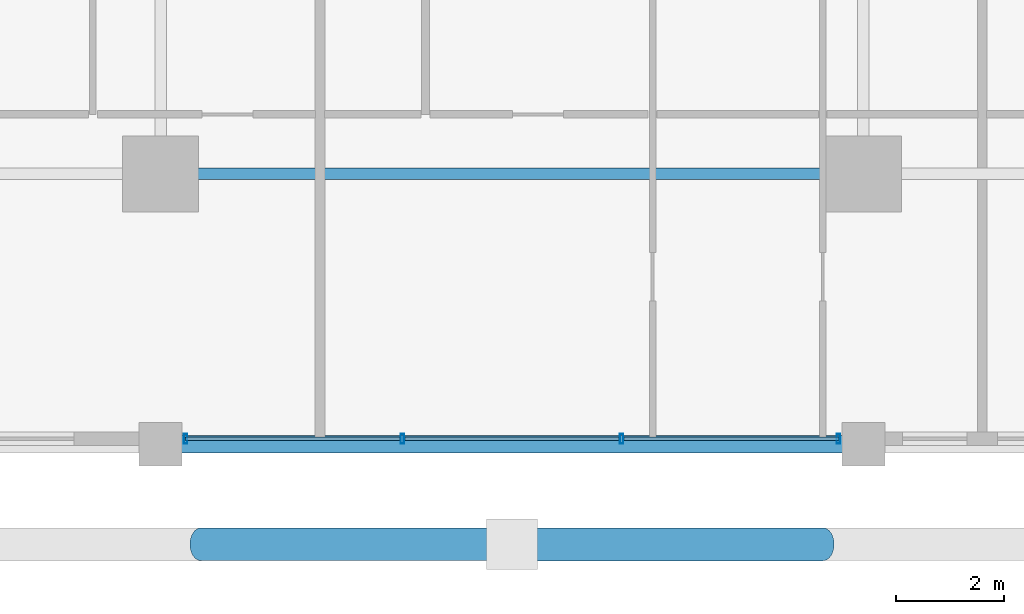
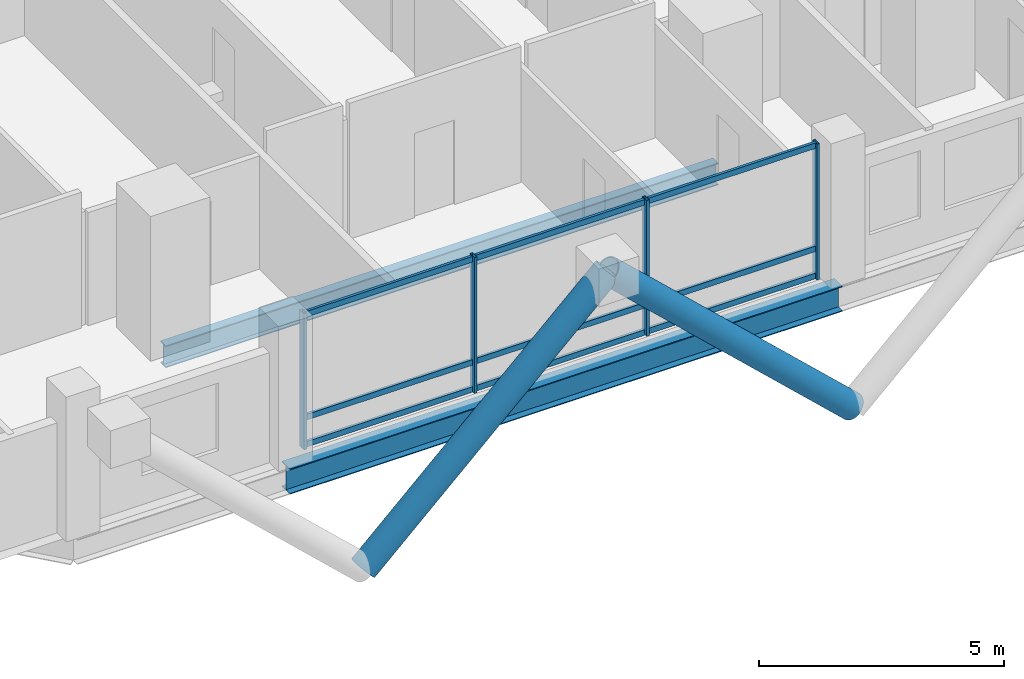
# One storey, part 2 of 24: 15 members, 2 beams, 1 element without a shape of its own.
"""IFC4 building model written with IfcOpenShell, lengths in metres."""

from ifc_helpers import new_model, si_unit, direction, frame, origin, origin_2d, place, context, subcontext, project, spatial, hollow_rectangle, hollow_circle, i_section, extrude, material, layer, layer_set, material_profile, profile_set, type_object, element, aggregate, save


model = new_model("IFC4")

# Units and contexts
model_context = context("Model", 3, precision=1e-05, world=origin(), true_north=direction((0.0, 1.0)))
body_context = subcontext(model_context, "Body", "Model", "MODEL_VIEW")
ifc_project = project(units=[si_unit("LENGTHUNIT", "METRE"), si_unit("AREAUNIT", "SQUARE_METRE"), si_unit("VOLUMEUNIT", "CUBIC_METRE"), si_unit("PLANEANGLEUNIT", "RADIAN"), si_unit("MASSUNIT", "GRAM", prefix="KILO")], contexts=[model_context])

# Site, building, storey
site_placement = place(None, origin())
site = spatial("IfcSite", under=ifc_project, at=site_placement, CompositionType="ELEMENT")
building_placement = place(site_placement, origin())
building = spatial("IfcBuilding", under=site, at=building_placement, Name="Barlavira Tower and Art Museum", CompositionType="ELEMENT")
storey_placement = place(building_placement, frame((0.0, 0.0, 46.800048828125)))
storey = spatial("IfcBuildingStorey", under=building, at=storey_placement, Name="L10", CompositionType="ELEMENT", Elevation=46.800048828125)

# Curtain wall, members
ifc_material_1 = material(Name="Low-iron coastal laminated glass", Category="glass")
ifc_layer = layer(ifc_material_1, 0.179931640625, Name="Low-iron coastal laminated glass")
ifc_layer_set = layer_set([ifc_layer], Name="Low-iron coastal laminated glass")
curtain_wall_type = type_object("IfcCurtainWallType", Name="Pale-Metal Unitised Curtain Wall Zone 1", PredefinedType="NOTDEFINED", material=ifc_layer_set)
curtain_wall_placement = place(storey_placement, origin())
curtain_wall = element("IfcCurtainWall", 1, at=curtain_wall_placement, inside=storey, type_object=curtain_wall_type, Name="L10 Curtain Wall CW1-L10-S-B3", PredefinedType="NOTDEFINED")
ifc_material_2 = material(Name="Pale anodised aluminium", Category="aluminium")
ifc_material_profile_1 = material_profile(ifc_material_2, hollow_rectangle(XDim=0.06494140625, YDim=0.179931640625, WallThickness=0.00390625, at=origin_2d()), Name="ALU-MULL 65x180x4")
ifc_profile_set_1 = profile_set([ifc_material_profile_1], Name="Pale anodised aluminium")
member_type_1 = type_object("IfcMemberType", Name="Curtain Wall Pale-Metal Mullion 65x180", PredefinedType="MULLION", material=ifc_profile_set_1)
member_1_placement = place(storey_placement, frame((-6.034912109375, -24.89990234375, 0.0), z_axis=(0.0, 0.0, 1.0), x_axis=(1.0, 0.0, 0.0)))
member_1 = element("IfcMember", 2, at=member_1_placement, type_object=member_type_1, Name="CW1-L10-S-B3 Mullion 0", PredefinedType="MULLION", context=body_context, shape_type="SweptSolid", body=[
    extrude(hollow_rectangle(XDim=0.06494140625, YDim=0.179931640625, WallThickness=0.00390625, at=origin_2d()), origin(), (0.0, 0.0, 1.0), 3.3798828125),
])
member_2_placement = place(storey_placement, frame((-2.026611328125, -24.89990234375, 0.0), z_axis=(0.0, 0.0, 1.0), x_axis=(1.0, 0.0, 0.0)))
member_2 = element("IfcMember", 3, at=member_2_placement, type_object=member_type_1, Name="CW1-L10-S-B3 Mullion 1", PredefinedType="MULLION", context=body_context, shape_type="SweptSolid", body=[
    extrude(hollow_rectangle(XDim=0.06494140625, YDim=0.179931640625, WallThickness=0.00390625, at=origin_2d()), origin(), (0.0, 0.0, 1.0), 3.3798828125),
])
member_3_placement = place(storey_placement, frame((2.026611328125, -24.89990234375, 0.0), z_axis=(0.0, 0.0, 1.0), x_axis=(1.0, 0.0, 0.0)))
member_3 = element("IfcMember", 4, at=member_3_placement, type_object=member_type_1, Name="CW1-L10-S-B3 Mullion 2", PredefinedType="MULLION", context=body_context, shape_type="SweptSolid", body=[
    extrude(hollow_rectangle(XDim=0.06494140625, YDim=0.179931640625, WallThickness=0.00390625, at=origin_2d()), origin(), (0.0, 0.0, 1.0), 3.3798828125),
])
member_4_placement = place(storey_placement, frame((6.034912109375, -24.89990234375, 0.0), z_axis=(0.0, 0.0, 1.0), x_axis=(1.0, 0.0, 0.0)))
member_4 = element("IfcMember", 5, at=member_4_placement, type_object=member_type_1, Name="CW1-L10-S-B3 Mullion 3", PredefinedType="MULLION", context=body_context, shape_type="SweptSolid", body=[
    extrude(hollow_rectangle(XDim=0.06494140625, YDim=0.179931640625, WallThickness=0.00390625, at=origin_2d()), origin(), (0.0, 0.0, 1.0), 3.3798828125),
])
ifc_material_profile_2 = material_profile(ifc_material_2, hollow_rectangle(XDim=0.06494140625, YDim=0.139892578125, WallThickness=0.00390625, at=origin_2d()), Name="ALU-TRAN 65x140x4")
ifc_profile_set_2 = profile_set([ifc_material_profile_2], Name="Pale anodised aluminium")
member_type_2 = type_object("IfcMemberType", Name="Curtain Wall Pale-Metal Transom 65x140", PredefinedType="USERDEFINED", material=ifc_profile_set_2)
member_5_placement = place(storey_placement, frame((-6.034912109375, -24.89990234375, 0.070068359375), z_axis=(1.0, 0.0, 0.0), x_axis=(0.0, 1.0, 0.0)))
member_5 = element("IfcMember", 6, at=member_5_placement, type_object=member_type_2, Name="CW1-L10-S-B3 Transom 0.1", ObjectType="TRANSOM", PredefinedType="USERDEFINED", context=body_context, shape_type="SweptSolid", body=[
    extrude(hollow_rectangle(XDim=0.06494140625, YDim=0.139892578125, WallThickness=0.00390625, at=origin_2d()), origin(), (0.0, 0.0, 1.0), 3.963134765625),
])
member_6_placement = place(storey_placement, frame((-6.034912109375, -24.89990234375, 0.743896484375), z_axis=(1.0, 0.0, 0.0), x_axis=(0.0, 1.0, 0.0)))
member_6 = element("IfcMember", 7, at=member_6_placement, type_object=member_type_2, Name="CW1-L10-S-B3 Transom 0.2", ObjectType="TRANSOM", PredefinedType="USERDEFINED", context=body_context, shape_type="SweptSolid", body=[
    extrude(hollow_rectangle(XDim=0.06494140625, YDim=0.139892578125, WallThickness=0.00390625, at=origin_2d()), origin(), (0.0, 0.0, 1.0), 3.963134765625),
])
member_7_placement = place(storey_placement, frame((-6.034912109375, -24.89990234375, 3.31005859375), z_axis=(1.0, 0.0, 0.0), x_axis=(0.0, 1.0, 0.0)))
member_7 = element("IfcMember", 8, at=member_7_placement, type_object=member_type_2, Name="CW1-L10-S-B3 Transom 0.3", ObjectType="TRANSOM", PredefinedType="USERDEFINED", context=body_context, shape_type="SweptSolid", body=[
    extrude(hollow_rectangle(XDim=0.06494140625, YDim=0.139892578125, WallThickness=0.00390625, at=origin_2d()), origin(), (0.0, 0.0, 1.0), 3.963134765625),
])
member_8_placement = place(storey_placement, frame((-1.981689453125, -24.89990234375, 0.070068359375), z_axis=(1.0, 0.0, 0.0), x_axis=(0.0, 1.0, 0.0)))
member_8 = element("IfcMember", 9, at=member_8_placement, type_object=member_type_2, Name="CW1-L10-S-B3 Transom 1.1", ObjectType="TRANSOM", PredefinedType="USERDEFINED", context=body_context, shape_type="SweptSolid", body=[
    extrude(hollow_rectangle(XDim=0.06494140625, YDim=0.139892578125, WallThickness=0.00390625, at=origin_2d()), origin(), (0.0, 0.0, 1.0), 3.96337890625),
])
member_9_placement = place(storey_placement, frame((-1.981689453125, -24.89990234375, 0.743896484375), z_axis=(1.0, 0.0, 0.0), x_axis=(0.0, 1.0, 0.0)))
member_9 = element("IfcMember", 10, at=member_9_placement, type_object=member_type_2, Name="CW1-L10-S-B3 Transom 1.2", ObjectType="TRANSOM", PredefinedType="USERDEFINED", context=body_context, shape_type="SweptSolid", body=[
    extrude(hollow_rectangle(XDim=0.06494140625, YDim=0.139892578125, WallThickness=0.00390625, at=origin_2d()), origin(), (0.0, 0.0, 1.0), 3.96337890625),
])
member_10_placement = place(storey_placement, frame((-1.981689453125, -24.89990234375, 3.31005859375), z_axis=(1.0, 0.0, 0.0), x_axis=(0.0, 1.0, 0.0)))
member_10 = element("IfcMember", 11, at=member_10_placement, type_object=member_type_2, Name="CW1-L10-S-B3 Transom 1.3", ObjectType="TRANSOM", PredefinedType="USERDEFINED", context=body_context, shape_type="SweptSolid", body=[
    extrude(hollow_rectangle(XDim=0.06494140625, YDim=0.139892578125, WallThickness=0.00390625, at=origin_2d()), origin(), (0.0, 0.0, 1.0), 3.96337890625),
])
member_11_placement = place(storey_placement, frame((2.07177734375, -24.89990234375, 0.070068359375), z_axis=(1.0, 0.0, 0.0), x_axis=(0.0, 1.0, 0.0)))
member_11 = element("IfcMember", 12, at=member_11_placement, type_object=member_type_2, Name="CW1-L10-S-B3 Transom 2.1", ObjectType="TRANSOM", PredefinedType="USERDEFINED", context=body_context, shape_type="SweptSolid", body=[
    extrude(hollow_rectangle(XDim=0.06494140625, YDim=0.139892578125, WallThickness=0.00390625, at=origin_2d()), origin(), (0.0, 0.0, 1.0), 3.963134765625),
])
member_12_placement = place(storey_placement, frame((2.07177734375, -24.89990234375, 0.743896484375), z_axis=(1.0, 0.0, 0.0), x_axis=(0.0, 1.0, 0.0)))
member_12 = element("IfcMember", 13, at=member_12_placement, type_object=member_type_2, Name="CW1-L10-S-B3 Transom 2.2", ObjectType="TRANSOM", PredefinedType="USERDEFINED", context=body_context, shape_type="SweptSolid", body=[
    extrude(hollow_rectangle(XDim=0.06494140625, YDim=0.139892578125, WallThickness=0.00390625, at=origin_2d()), origin(), (0.0, 0.0, 1.0), 3.963134765625),
])
member_13_placement = place(storey_placement, frame((2.07177734375, -24.89990234375, 3.31005859375), z_axis=(1.0, 0.0, 0.0), x_axis=(0.0, 1.0, 0.0)))
member_13 = element("IfcMember", 14, at=member_13_placement, type_object=member_type_2, Name="CW1-L10-S-B3 Transom 2.3", ObjectType="TRANSOM", PredefinedType="USERDEFINED", context=body_context, shape_type="SweptSolid", body=[
    extrude(hollow_rectangle(XDim=0.06494140625, YDim=0.139892578125, WallThickness=0.00390625, at=origin_2d()), origin(), (0.0, 0.0, 1.0), 3.963134765625),
])
aggregate(curtain_wall, [member_1, member_2, member_3, member_4, member_5, member_6, member_7, member_8, member_9, member_10, member_11, member_12, member_13])

# Members
ifc_material_3 = material(Name="Steel S355", Category="steel")
ifc_material_profile_3 = material_profile(ifc_material_3, hollow_circle(Radius=0.304931640625, WallThickness=0.028076171875, at=origin_2d()), Name="CHS 610.0x28.0")
ifc_profile_set_3 = profile_set([ifc_material_profile_3], Name="Steel S355")
member_type_3 = type_object("IfcMemberType", Name="Pale-Metal Exoskeleton Diagrid Tube CHS 610x28 Steel S355", PredefinedType="BRACE", material=ifc_profile_set_3)
for number, where, z_axis, x_axis, name in (
    (15, (-5.75, -26.85009765625, -1.920166015625), (0.728934650808, 0.0, 0.684583285548), (0.0, 1.0, 0.0), "L10 Exoskeleton Diagrid Tube S"),
    (16, (5.75, -26.85009765625, -1.920166015625), (-0.728934650808, 0.0, 0.684583285548), (0.0, -1.0, 0.0), "L10 Exoskeleton Diagrid Tube S"),
):
    element("IfcMember", number, at=place(storey_placement, frame(where, z_axis=z_axis, x_axis=x_axis)), inside=storey, type_object=member_type_3, Name=name, PredefinedType="BRACE", context=body_context, shape_type="SweptSolid", body=[
        extrude(hollow_circle(Radius=0.304931640625, WallThickness=0.028076171875, at=origin_2d()), origin(), (0.0, 0.0, 1.0), 7.88818359375),
    ])

# Beams
ifc_material_profile_4 = material_profile(ifc_material_3, i_section(OverallWidth=0.327880859375, OverallDepth=0.62890625, WebThickness=0.013916015625, FlangeThickness=0.021484375, at=origin_2d()), Name="W610x174.0")
ifc_profile_set_4 = profile_set([ifc_material_profile_4], Name="Steel S355")
beam_type_1 = type_object("IfcBeamType", Name="Perimeter Spandrel Edge Beam W610x174 Steel S355", PredefinedType="SPANDREL", material=ifc_profile_set_4)
beam_1_placement = place(storey_placement, frame((-6.5, -25.0, -0.53466796875), z_axis=(1.0, 0.0, 0.0), x_axis=(0.0, 1.0, 0.0)))
element("IfcBeam", 17, at=beam_1_placement, inside=storey, type_object=beam_type_1, Name="L10 Spandrel 2", PredefinedType="SPANDREL", context=body_context, shape_type="SweptSolid", body=[
    extrude(i_section(OverallWidth=0.327880859375, OverallDepth=0.62890625, WebThickness=0.013916015625, FlangeThickness=0.021484375, at=origin_2d()), origin(), (0.0, 0.0, 1.0), 13.0),
])
ifc_material_profile_5 = material_profile(ifc_material_3, i_section(OverallWidth=0.214111328125, OverallDepth=0.549072265625, WebThickness=0.0146484375, FlangeThickness=0.023681640625, at=origin_2d()), Name="W530x138.0")
ifc_profile_set_5 = profile_set([ifc_material_profile_5], Name="Steel S355")
beam_type_2 = type_object("IfcBeamType", Name="Zone 1 Primary Floor Girder W530x138 Steel S355", PredefinedType="BEAM", material=ifc_profile_set_5)
beam_2_placement = place(storey_placement, frame((-6.5, -20.0, -0.49462890625), z_axis=(1.0, 0.0, 0.0), x_axis=(0.0, 1.0, 0.0)))
element("IfcBeam", 18, at=beam_2_placement, inside=storey, type_object=beam_type_2, Name="L10 Girder M-S2", PredefinedType="BEAM", context=body_context, shape_type="SweptSolid", body=[
    extrude(i_section(OverallWidth=0.214111328125, OverallDepth=0.549072265625, WebThickness=0.0146484375, FlangeThickness=0.023681640625, at=origin_2d()), origin(), (0.0, 0.0, 1.0), 13.0),
])

save(model, "model.ifc")
